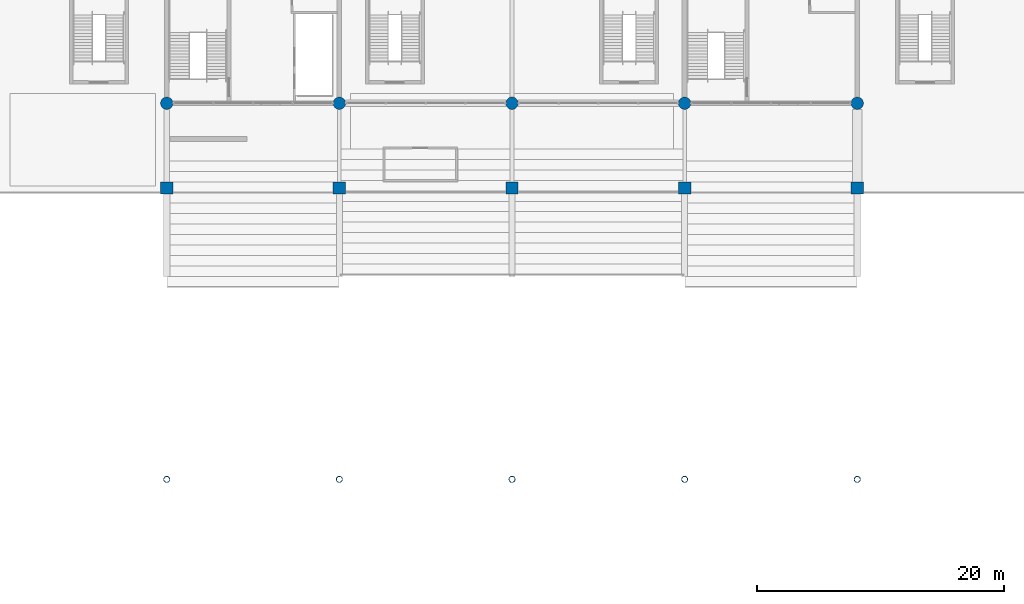
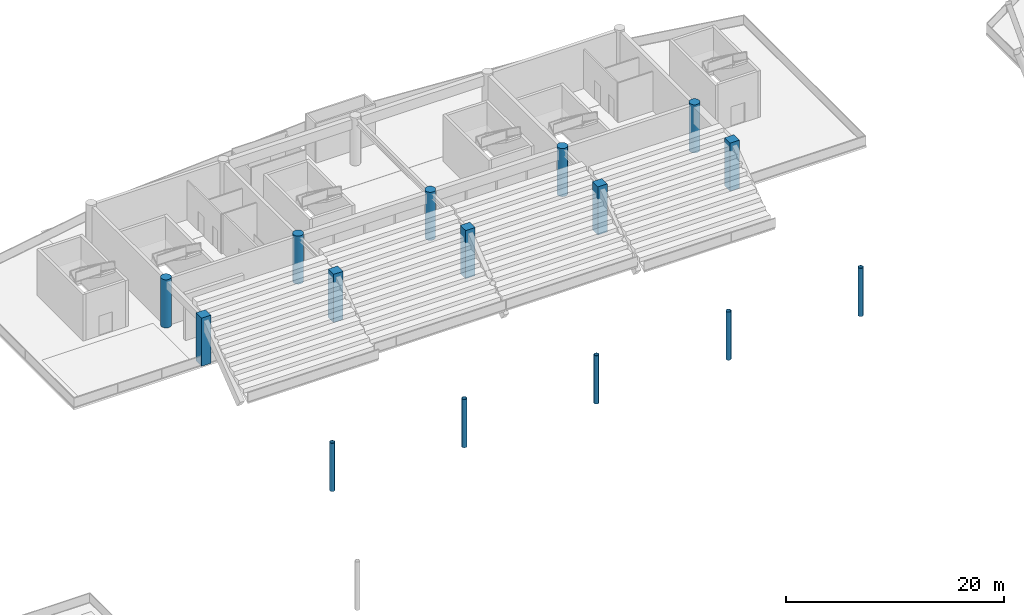
# One storey, part 18 of 117: 15 columns.
"""IFC4 building model written with IfcOpenShell, lengths in metres."""

from ifc_helpers import new_model, si_unit, direction, frame, origin, origin_2d, place, context, subcontext, project, spatial, rectangle, circle, hollow_circle, extrude, material, material_profile, profile_set, type_object, element, save


model = new_model("IFC4")

# Units and contexts
model_context = context("Model", 3, precision=1e-05, world=origin(), true_north=direction((0.0, 1.0)))
body_context = subcontext(model_context, "Body", "Model", "MODEL_VIEW")
ifc_project = project(units=[si_unit("LENGTHUNIT", "METRE"), si_unit("AREAUNIT", "SQUARE_METRE"), si_unit("VOLUMEUNIT", "CUBIC_METRE"), si_unit("PLANEANGLEUNIT", "RADIAN"), si_unit("MASSUNIT", "GRAM", prefix="KILO")], contexts=[model_context])

# Site, building, storey
site_placement = place(None, origin())
site = spatial("IfcSite", under=ifc_project, at=site_placement, CompositionType="ELEMENT")
building_placement = place(site_placement, origin())
building = spatial("IfcBuilding", under=site, at=building_placement, Name="Linyun Crest Stadium", CompositionType="ELEMENT")
storey_placement = place(building_placement, frame((0.0, 0.0, 6.0)))
storey = spatial("IfcBuildingStorey", under=building, at=storey_placement, Name="L02", CompositionType="ELEMENT", Elevation=6.0)

# Columns
ifc_material_1 = material(Name="Concrete C50", Category="concrete")
ifc_material_profile_1 = material_profile(ifc_material_1, rectangle(XDim=1.0, YDim=1.0, at=origin_2d()), Name="RC 1000x1000")
ifc_profile_set_1 = profile_set([ifc_material_profile_1], Name="Concrete C50")
column_type_1 = type_object("IfcColumnType", Name="C05", PredefinedType="COLUMN", material=ifc_profile_set_1)
for number, where, z_axis, x_axis, name in (
    (1, (-28.0, 84.625, 0.0), (0.0, 0.0, 1.0), (1.0, 0.0, 0.0), "Column C05 L02 574"),
    (2, (-14.0, 84.625, 0.0), (0.0, 0.0, 1.0), (1.0, 0.0, 0.0), "Column C05 L02 595"),
    (3, (0.0, 84.625, 0.0), (0.0, 0.0, 1.0), (1.0, 0.0, 0.0), "Column C05 L02 616"),
    (4, (14.0, 84.625, 0.0), (0.0, 0.0, 1.0), (1.0, 0.0, 0.0), "Column C05 L02 637"),
    (5, (28.0, 84.625, 0.0), (0.0, 0.0, 1.0), (1.0, 0.0, 0.0), "Column C05 L02 658"),
):
    element("IfcColumn", number, at=place(storey_placement, frame(where, z_axis=z_axis, x_axis=x_axis)), inside=storey, type_object=column_type_1, Name=name, PredefinedType="COLUMN", context=body_context, shape_type="SweptSolid", body=[
        extrude(rectangle(XDim=1.0, YDim=1.0, at=origin_2d()), origin(), (0.0, 0.0, 1.0), 5.39794921875),
    ])
ifc_material_2 = material(Name="Concrete C50", Category="concrete")
ifc_material_profile_2 = material_profile(ifc_material_2, circle(Radius=0.5, at=origin_2d()), Name="RC D1000")
ifc_profile_set_2 = profile_set([ifc_material_profile_2], Name="Concrete C50")
column_type_2 = type_object("IfcColumnType", Name="C09", PredefinedType="COLUMN", material=ifc_profile_set_2)
for number, where, z_axis, x_axis, name in (
    (6, (-28.0, 91.5, 0.0), (0.0, 0.0, 1.0), (1.0, 0.0, 0.0), "Column C09 L02 580"),
    (7, (-14.0, 91.5, 0.0), (0.0, 0.0, 1.0), (1.0, 0.0, 0.0), "Column C09 L02 601"),
    (8, (0.0, 91.5, 0.0), (0.0, 0.0, 1.0), (1.0, 0.0, 0.0), "Column C09 L02 622"),
    (9, (14.0, 91.5, 0.0), (0.0, 0.0, 1.0), (1.0, 0.0, 0.0), "Column C09 L02 643"),
    (10, (28.0, 91.5, 0.0), (0.0, 0.0, 1.0), (1.0, 0.0, 0.0), "Column C09 L02 664"),
):
    element("IfcColumn", number, at=place(storey_placement, frame(where, z_axis=z_axis, x_axis=x_axis)), inside=storey, type_object=column_type_2, Name=name, PredefinedType="COLUMN", context=body_context, shape_type="SweptSolid", body=[
        extrude(circle(Radius=0.5, at=origin_2d()), origin(), (0.0, 0.0, 1.0), 5.39794921875),
    ])
ifc_material_3 = material(Name="Steel Q355C", Category="steel")
ifc_material_profile_3 = material_profile(ifc_material_3, hollow_circle(Radius=0.25390625, WallThickness=0.02490234375, at=origin_2d()), Name="CHS 508x25")
ifc_profile_set_3 = profile_set([ifc_material_profile_3], Name="Steel Q355C")
column_type_3 = type_object("IfcColumnType", Name="SC05", PredefinedType="COLUMN", material=ifc_profile_set_3)
for number, where, z_axis, x_axis, name in (
    (11, (-28.0, 61.0, 0.0), (0.0, 0.0, 1.0), (1.0, 0.0, 0.0), "Arch colonnade column SC05 L02 34"),
    (12, (-14.0, 61.0, 0.0), (0.0, 0.0, 1.0), (1.0, 0.0, 0.0), "Arch colonnade column SC05 L02 36"),
    (13, (0.0, 61.0, 0.0), (0.0, 0.0, 1.0), (1.0, 0.0, 0.0), "Arch colonnade column SC05 L02 38"),
    (14, (14.0, 61.0, 0.0), (0.0, 0.0, 1.0), (1.0, 0.0, 0.0), "Arch colonnade column SC05 L02 40"),
    (15, (28.0, 61.0, 0.0), (0.0, 0.0, 1.0), (1.0, 0.0, 0.0), "Arch colonnade column SC05 L02 42"),
):
    element("IfcColumn", number, at=place(storey_placement, frame(where, z_axis=z_axis, x_axis=x_axis)), inside=storey, type_object=column_type_3, Name=name, PredefinedType="COLUMN", context=body_context, shape_type="SweptSolid", body=[
        extrude(hollow_circle(Radius=0.25390625, WallThickness=0.02490234375, at=origin_2d()), origin(), (0.0, 0.0, 1.0), 5.39990234375),
    ])

save(model, "model.ifc")
